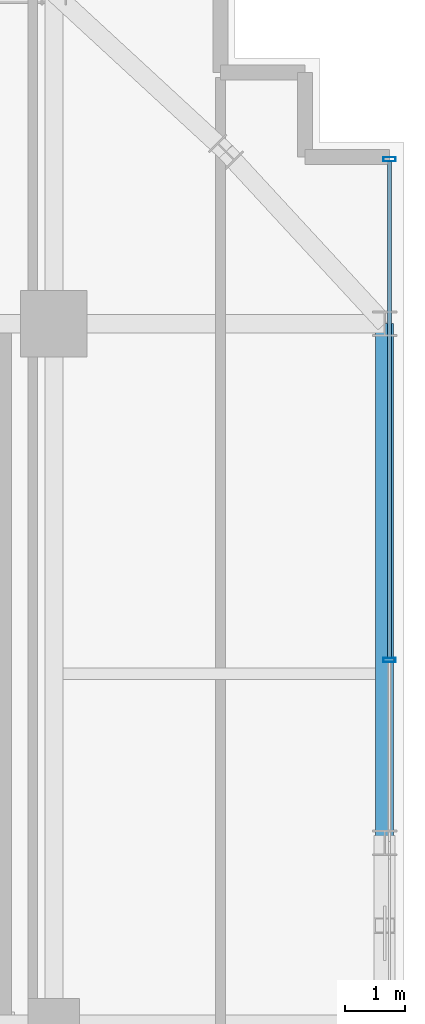
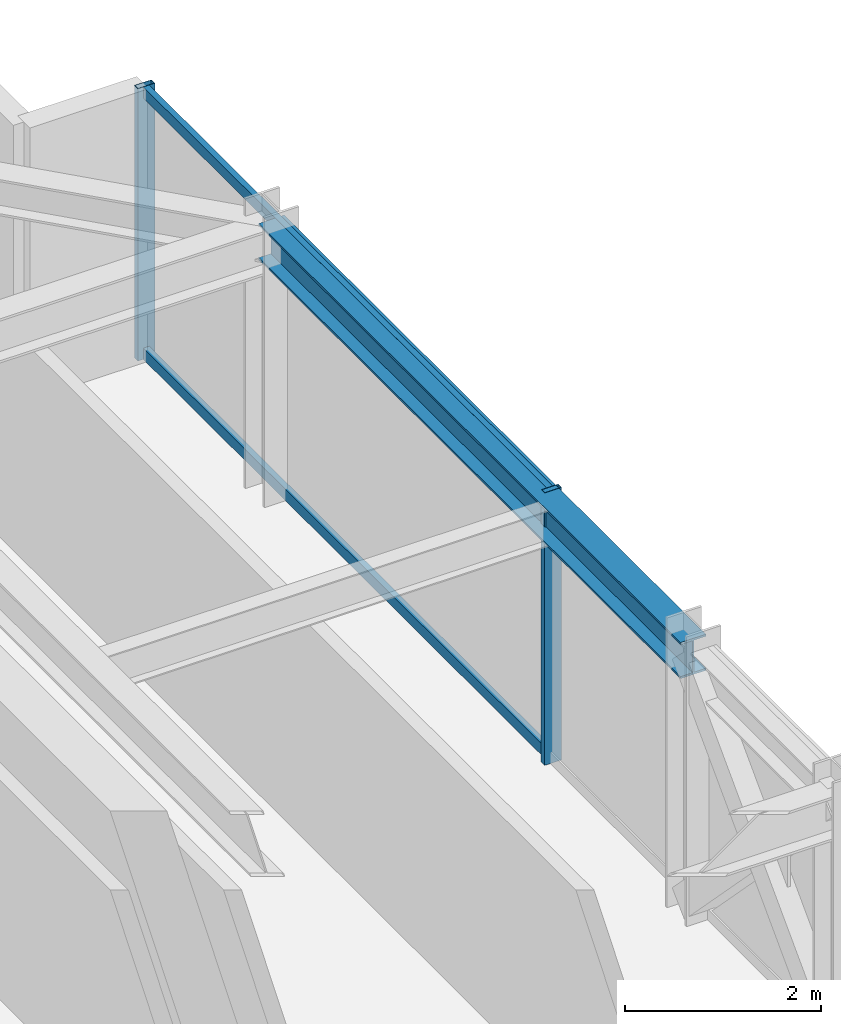
# One storey, part 26 of 36: 4 members, 1 beam, 1 element without a shape of its own.
"""IFC4 building model written with IfcOpenShell, lengths in metres."""

from ifc_helpers import new_model, si_unit, direction, frame, origin, origin_2d, place, context, subcontext, project, spatial, hollow_rectangle, i_section, extrude, source, transform, mapped, material, material_profile, profile_set, type_object, element, aggregate, save


model = new_model("IFC4")

# Units and contexts
model_context = context("Model", 3, precision=1e-05, world=origin(), true_north=direction((0.0, 1.0)))
body_context = subcontext(model_context, "Body", "Model", "MODEL_VIEW")
ifc_project = project(units=[si_unit("LENGTHUNIT", "METRE"), si_unit("AREAUNIT", "SQUARE_METRE"), si_unit("VOLUMEUNIT", "CUBIC_METRE"), si_unit("PLANEANGLEUNIT", "RADIAN"), si_unit("MASSUNIT", "GRAM", prefix="KILO")], contexts=[model_context])

# Site, building, storey
site_placement = place(None, origin())
site = spatial("IfcSite", under=ifc_project, at=site_placement, CompositionType="ELEMENT")
building_placement = place(site_placement, origin())
building = spatial("IfcBuilding", under=site, at=building_placement, Name="Nahalor Promenade Grand Hotel", CompositionType="ELEMENT")
storey_placement = place(building_placement, frame((0.0, 0.0, 170.89990234375)))
storey = spatial("IfcBuildingStorey", under=building, at=storey_placement, Name="L43", CompositionType="ELEMENT", Elevation=170.89990234375)

# Beam
ifc_material_1 = material(Name="Steel S355JR", Category="steel")
ifc_material_profile_1 = material_profile(ifc_material_1, i_section(OverallWidth=0.3, OverallDepth=0.45, WebThickness=0.014, FlangeThickness=0.026, at=origin_2d()), Name="HEB 450")
ifc_profile_set_1 = profile_set([ifc_material_profile_1], Name="Steel S355JR")
beam_type = type_object("IfcBeamType", Name="Beam-Spandrel-HEB450", PredefinedType="SPANDREL", material=ifc_profile_set_1)
shared_shape_1 = source(origin(), body_context, "Body", "SweptSolid", [
    extrude(i_section(OverallWidth=0.3, OverallDepth=0.45, WebThickness=0.014, FlangeThickness=0.026, at=origin_2d()), origin(), (0.0, 0.0, 1.0), 8.60009765625),
])
beam_placement = place(storey_placement, frame((22.47998046875, 8.39990234375, 3.1650390625), z_axis=(0.0, 1.0, 0.0), x_axis=(-1.0, 0.0, 0.0)))
element("IfcBeam", 1, at=beam_placement, inside=storey, type_object=beam_type, Name="BM-L43-SP-E-4", PredefinedType="SPANDREL", context=body_context, shape_type="MappedRepresentation", body=[
    mapped(shared_shape_1, transform((0.0, 0.0, 0.0), scale=1.0)),
])

# Curtain wall, members
ifc_material_2 = material(Name="Anodised Bronze Aluminium EN AW-6063 T6", Category="aluminium")
curtain_wall_type = type_object("IfcCurtainWallType", Name="CW3 Elliptical-Void Collar Unitised Curtain Wall", PredefinedType="USERDEFINED", material=ifc_material_2)
curtain_wall_placement = place(storey_placement, origin())
curtain_wall = element("IfcCurtainWall", 2, at=curtain_wall_placement, inside=storey, type_object=curtain_wall_type, Name="L43 Curtain Wall CW-L43-E-2", ObjectType="UNITISED_CURTAIN_WALL", PredefinedType="USERDEFINED")
ifc_material_profile_2 = material_profile(ifc_material_2, hollow_rectangle(XDim=0.07, YDim=0.2, WallThickness=0.005, at=origin_2d()), Name="CWM 70x200x5")
ifc_profile_set_2 = profile_set([ifc_material_profile_2], Name="Anodised Bronze Aluminium EN AW-6063 T6")
member_type_1 = type_object("IfcMemberType", Name="CWM3 Void Collar Mullion 70x200", PredefinedType="MULLION", material=ifc_profile_set_2)
shared_shape_2 = source(origin(), body_context, "Body", "SweptSolid", [
    extrude(hollow_rectangle(XDim=0.07, YDim=0.2, WallThickness=0.005, at=origin_2d()), origin(), (0.0, 0.0, 1.0), 3.39013671875),
])
member_1_placement = place(storey_placement, frame((22.56005859375, 11.429931640625, 0.0), z_axis=(0.0, 0.0, 1.0), x_axis=(0.0, 1.0, 0.0)))
member_1 = element("IfcMember", 3, at=member_1_placement, type_object=member_type_1, Name="CW-L43-E-2 Mullion 1", PredefinedType="MULLION", context=body_context, shape_type="MappedRepresentation", body=[
    mapped(shared_shape_2, transform((0.0, 0.0, 0.0), scale=1.0)),
])
member_2_placement = place(storey_placement, frame((22.56005859375, 19.72509765625, 0.0), z_axis=(0.0, 0.0, 1.0), x_axis=(0.0, 1.0, 0.0)))
member_2 = element("IfcMember", 4, at=member_2_placement, type_object=member_type_1, Name="CW-L43-E-2 Mullion 2", PredefinedType="MULLION", context=body_context, shape_type="MappedRepresentation", body=[
    mapped(shared_shape_2, transform((0.0, 0.0, 0.0), scale=1.0)),
])
ifc_material_profile_3 = material_profile(ifc_material_2, hollow_rectangle(XDim=0.07, YDim=0.14, WallThickness=0.004, at=origin_2d()), Name="CWT 70x140x4")
ifc_profile_set_3 = profile_set([ifc_material_profile_3], Name="Anodised Bronze Aluminium EN AW-6063 T6")
member_type_2 = type_object("IfcMemberType", Name="CWT3 Void Collar Transom 70x140", PredefinedType="USERDEFINED", material=ifc_profile_set_3)
shared_shape_3 = source(origin(), body_context, "Body", "SweptSolid", [
    extrude(hollow_rectangle(XDim=0.07, YDim=0.14, WallThickness=0.004, at=origin_2d()), origin(), (0.0, 0.0, 1.0), 8.224853515625),
])
member_3_placement = place(storey_placement, frame((22.56005859375, 11.465087890625, 0.070068359375), z_axis=(0.0, 1.0, 0.0), x_axis=(-1.0, 0.0, 0.0)))
member_3 = element("IfcMember", 5, at=member_3_placement, type_object=member_type_2, Name="CW-L43-E-2 Transom 1-0", ObjectType="TRANSOM", PredefinedType="USERDEFINED", context=body_context, shape_type="MappedRepresentation", body=[
    mapped(shared_shape_3, transform((0.0, 0.0, 0.0), scale=1.0)),
])
member_4_placement = place(storey_placement, frame((22.56005859375, 11.465087890625, 3.320068359375), z_axis=(0.0, 1.0, 0.0), x_axis=(-1.0, 0.0, 0.0)))
member_4 = element("IfcMember", 6, at=member_4_placement, type_object=member_type_2, Name="CW-L43-E-2 Transom 1-1", ObjectType="TRANSOM", PredefinedType="USERDEFINED", context=body_context, shape_type="MappedRepresentation", body=[
    mapped(shared_shape_3, transform((0.0, 0.0, 0.0), scale=1.0)),
])
aggregate(curtain_wall, [member_1, member_2, member_3, member_4])

save(model, "model.ifc")
